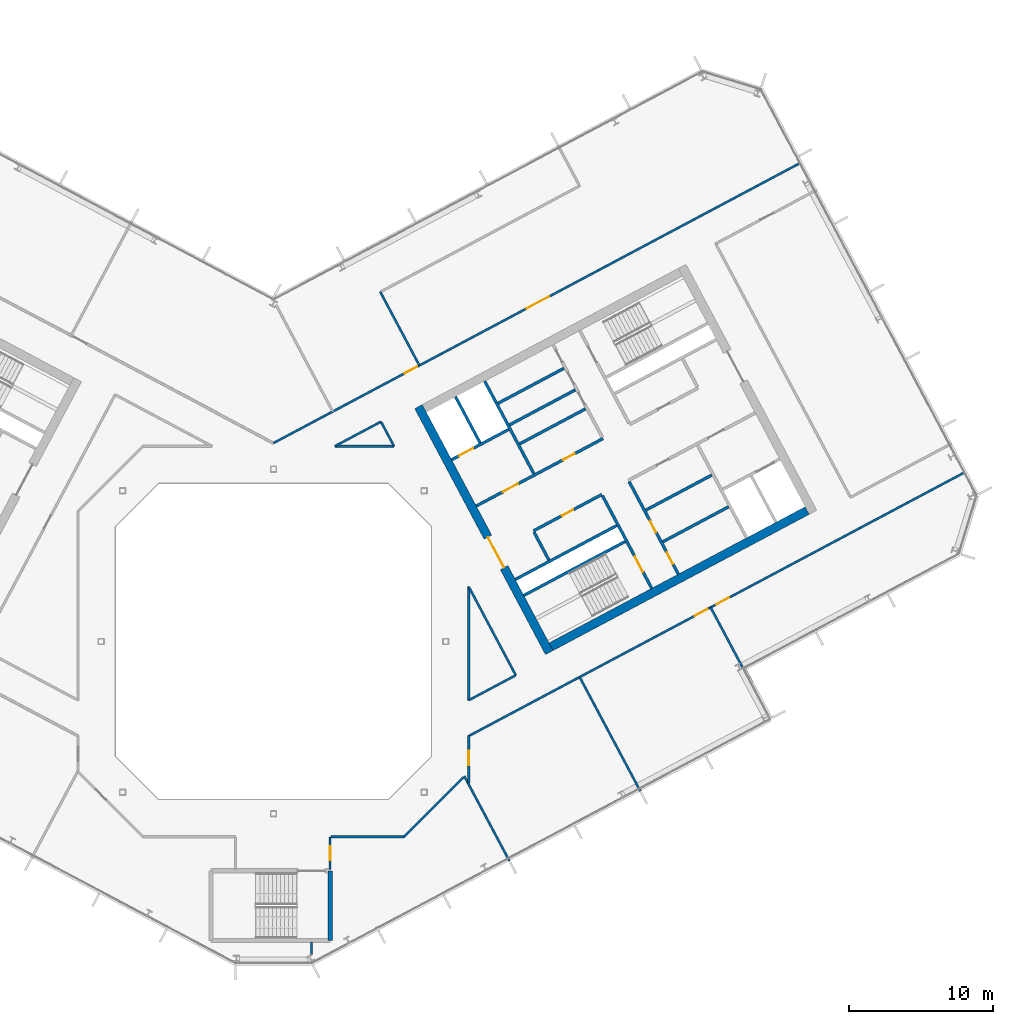
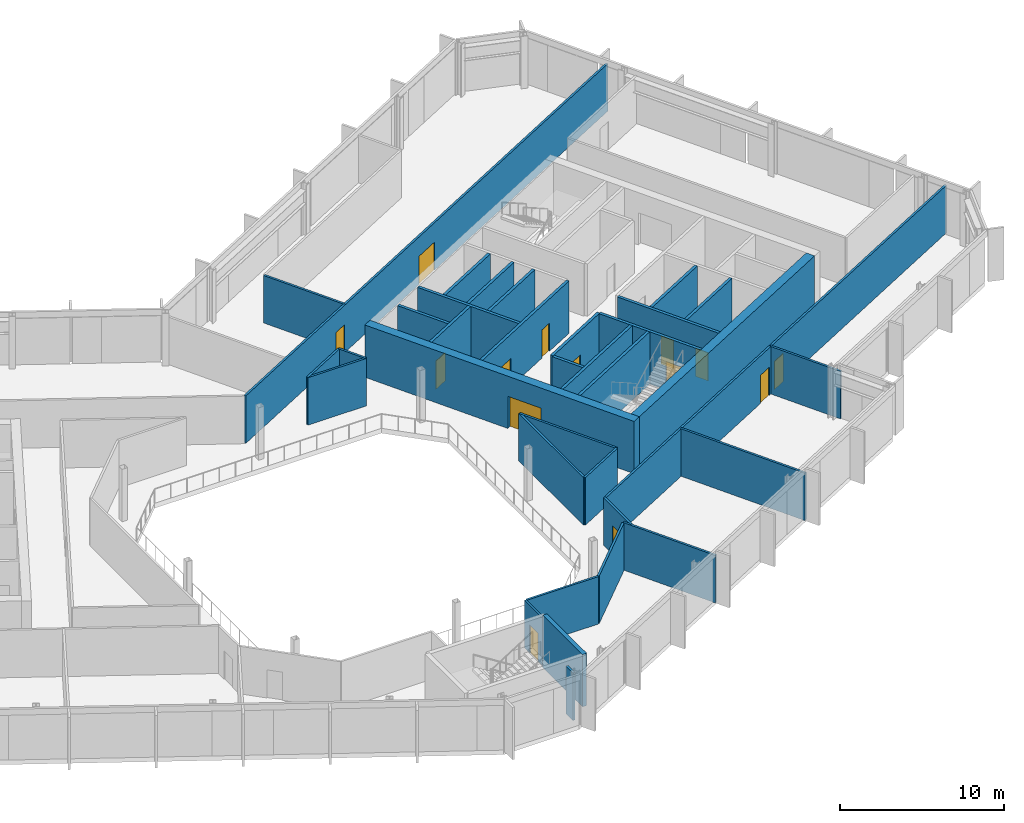
# One storey, part 16 of 27: 35 walls, 14 doors, 14 openings.
"""IFC4 building model written with IfcOpenShell, lengths in metres."""

from ifc_helpers import new_model, si_unit, direction, frame, frame_2d, origin, place, context, subcontext, project, spatial, rectangle, extrude, material, layer, layer_set, type_object, element, fill, save


model = new_model("IFC4")

# Units and contexts
model_context = context("Model", 3, precision=1e-05, world=origin(), true_north=direction((0.0, 1.0)))
body_context = subcontext(model_context, "Body", "Model", "MODEL_VIEW")
ifc_project = project(units=[si_unit("LENGTHUNIT", "METRE"), si_unit("AREAUNIT", "SQUARE_METRE"), si_unit("VOLUMEUNIT", "CUBIC_METRE"), si_unit("PLANEANGLEUNIT", "RADIAN"), si_unit("MASSUNIT", "GRAM", prefix="KILO")], contexts=[model_context])

# Site, building, storey
site_placement = place(None, origin())
site = spatial("IfcSite", under=ifc_project, at=site_placement, CompositionType="ELEMENT")
building_placement = place(site_placement, origin())
building = spatial("IfcBuilding", under=site, at=building_placement, Name="Cormorant Relay Tower", CompositionType="ELEMENT")
storey_placement = place(building_placement, frame((0.0, 0.0, 224.699951171875)))
storey = spatial("IfcBuildingStorey", under=building, at=storey_placement, Name="L49", CompositionType="ELEMENT", Elevation=224.699951171875)

# Walls
ifc_material_1 = material(Name="Concrete 40 MPa", Category="concrete")
ifc_layer_1 = layer(ifc_material_1, 0.199951171875)
ifc_layer_set_1 = layer_set([ifc_layer_1], Name="Core internal wall 200")
wall_type_1 = type_object("IfcWallType", Name="Core internal wall 200", PredefinedType="SOLIDWALL", material=ifc_layer_set_1)
for number, where, z_axis, x_axis, name in (
    (1, (27.11474609375, 6.942138671875, 0.0), (0.0, 0.0, 1.0), (0.882934506056, 0.469496174655, 0.0), "L49 core B shaft and room wall"),
    (2, (16.442626953125, 15.085205078125, 0.0), (0.0, 0.0, 1.0), (0.882953967957, 0.469459572775, 0.0), "L49 core B shaft and room wall"),
    (3, (15.64453125, 16.586181640625, 0.0), (0.0, 0.0, 1.0), (0.882953967957, 0.469459572775, 0.0), "L49 core B shaft and room wall"),
):
    element("IfcWall", number, at=place(storey_placement, frame(where, z_axis=z_axis, x_axis=x_axis)), inside=storey, type_object=wall_type_1, Name=name, PredefinedType="SOLIDWALL", context=body_context, shape_type="SweptSolid", body=[
        extrude(rectangle(XDim=5.199951171875, YDim=0.199951171875, at=frame_2d((2.60009765625, 0.0))), origin(), (0.0, 0.0, 1.0), 3.900146484375),
    ])
ifc_material_2 = material(Name="Concrete 50 MPa", Category="concrete")
ifc_layer_2 = layer(ifc_material_2, 0.199951171875)
ifc_layer_set_2 = layer_set([ifc_layer_2], Name="Core shaft wall 200")
wall_type_2 = type_object("IfcWallType", Name="Core shaft wall 200", PredefinedType="SHEAR", material=ifc_layer_set_2)
wall_1_placement = place(storey_placement, frame((14.39404296875, 13.825927734375, 0.0), z_axis=(0.0, 0.0, 1.0), x_axis=(-0.469494272526, 0.882935517501, 0.0)))
element("IfcWall", 4, at=wall_1_placement, inside=storey, type_object=wall_type_2, Name="L49 core B shaft wall", PredefinedType="SHEAR", context=body_context, shape_type="SweptSolid", body=[
    extrude(rectangle(XDim=3.64990234375, YDim=0.199951171875, at=frame_2d((1.824951171875, 0.0))), origin(), (0.0, 0.0, 1.0), 3.900146484375),
])
wall_2_placement = place(storey_placement, frame((19.18359375, 5.669921875, 0.0), z_axis=(0.0, 0.0, 1.0), x_axis=(-0.4694473164, 0.882960484464, 0.0)))
element("IfcWall", 5, at=wall_2_placement, inside=storey, type_object=wall_type_2, Name="L49 core B shaft wall", PredefinedType="SHEAR", context=body_context, shape_type="SweptSolid", body=[
    extrude(rectangle(XDim=2.199951171875, YDim=0.199951171875, at=frame_2d((1.10009765625, 0.0))), origin(), (0.0, 0.0, 1.0), 3.900146484375),
])
wall_3_placement = place(storey_placement, frame((18.138427734375, 11.682861328125, 0.0), z_axis=(0.0, 0.0, 1.0), x_axis=(-0.469480409012, 0.88294288918, 0.0)))
element("IfcWall", 6, at=wall_3_placement, inside=storey, type_object=wall_type_2, Name="L49 core B shaft wall", PredefinedType="SHEAR", context=body_context, shape_type="SweptSolid", body=[
    extrude(rectangle(XDim=7.300048828125, YDim=0.199951171875, at=frame_2d((3.64990234375, 0.0))), origin(), (0.0, 0.0, 1.0), 3.900146484375),
])

# Wall, opening, door
wall_4_placement = place(storey_placement, frame((26.345947265625, 3.701904296875, 0.0), z_axis=(0.0, 0.0, 1.0), x_axis=(-0.469480409012, 0.88294288918, 0.0)))
wall_4 = element("IfcWall", 7, at=wall_4_placement, inside=storey, type_object=wall_type_2, Name="L49 core B shaft wall", PredefinedType="SHEAR", context=body_context, shape_type="SweptSolid", body=[
    extrude(rectangle(XDim=7.300048828125, YDim=0.199951171875, at=frame_2d((3.64990234375, 0.0))), origin(), (0.0, 0.0, 1.0), 3.900146484375),
])
opening_1_placement = place(wall_4_placement, frame((1.300048828125, 0.0, 0.0)))
opening_1 = element("IfcOpeningElement", 8, at=opening_1_placement, cuts=wall_4, Name="Opening CDB-040", PredefinedType="OPENING", context=body_context, shape_type="SweptSolid", body=[
    extrude(rectangle(XDim=1.199951171875, YDim=2.10009765625, at=frame_2d((0.60009765625, 1.050048828125))), frame((0.0, 0.10986328125, 0.0), z_axis=(0.0, -1.0, 0.0), x_axis=(1.0, 0.0, 0.0)), (0.0, 0.0, 1.0), 0.219970703125),
])
ifc_material_3 = material(Name="Steel fire door", Category="steel")
door_type_1 = type_object("IfcDoorType", Name="Core stair door 1200x2100", OperationType="SINGLE_SWING_LEFT", PredefinedType="DOOR", material=ifc_material_3)
door_1_placement = place(opening_1_placement, origin())
door_1 = element("IfcDoor", 9, at=door_1_placement, inside=storey, type_object=door_type_1, Name="Core stair door 1200x2100", OperationType="SINGLE_SWING_RIGHT", OverallHeight=2.10009765625, OverallWidth=1.199951171875, PredefinedType="DOOR", context=body_context, shape_type="SweptSolid", body=[
    extrude(rectangle(XDim=1.199951171875, YDim=2.10009765625, at=frame_2d((0.60009765625, 1.050048828125))), frame((0.0, 0.02490234375, 0.0), z_axis=(0.0, -1.0, 0.0), x_axis=(1.0, 0.0, 0.0)), (0.0, 0.0, 1.0), 0.050048828125),
])
fill(opening_1, door_1)

# Wall, openings, doors
wall_5_placement = place(storey_placement, frame((28.199951171875, 4.687744140625, 0.0), z_axis=(0.0, 0.0, 1.0), x_axis=(-0.469454336211, 0.882956752176, 0.0)))
wall_5 = element("IfcWall", 10, at=wall_5_placement, inside=storey, type_object=wall_type_2, Name="L49 core B shaft wall", PredefinedType="SHEAR", context=body_context, shape_type="SweptSolid", body=[
    extrude(rectangle(XDim=7.300048828125, YDim=0.199951171875, at=frame_2d((3.64990234375, 0.0))), origin(), (0.0, 0.0, 1.0), 3.900146484375),
])
opening_2_placement = place(wall_5_placement, frame((0.800048828125, 0.0, 0.0)))
opening_2 = element("IfcOpeningElement", 11, at=opening_2_placement, cuts=wall_5, Name="Opening CDD-286", PredefinedType="OPENING", context=body_context, shape_type="SweptSolid", body=[
    extrude(rectangle(XDim=0.89990234375, YDim=2.10009765625, at=frame_2d((0.449951171875, 1.050048828125))), frame((0.0, 0.10986328125, 0.0), z_axis=(0.0, -1.0, 0.0), x_axis=(1.0, 0.0, 0.0)), (0.0, 0.0, 1.0), 0.219970703125),
])
opening_3_placement = place(wall_5_placement, frame((3.300048828125, 0.0, 0.0)))
opening_3 = element("IfcOpeningElement", 12, at=opening_3_placement, cuts=wall_5, Name="Opening CDD-287", PredefinedType="OPENING", context=body_context, shape_type="SweptSolid", body=[
    extrude(rectangle(XDim=0.89990234375, YDim=2.10009765625, at=frame_2d((0.449951171875, 1.050048828125))), frame((0.0, 0.10986328125, 0.0), z_axis=(0.0, -1.0, 0.0), x_axis=(1.0, 0.0, 0.0)), (0.0, 0.0, 1.0), 0.219970703125),
])
ifc_material_4 = material(Name="Steel fire door", Category="steel")
door_type_2 = type_object("IfcDoorType", Name="Core room door 900x2100", OperationType="SINGLE_SWING_LEFT", PredefinedType="DOOR", material=ifc_material_4)
door_2_placement = place(opening_2_placement, frame((0.89990234375, 0.0, 0.0), z_axis=(0.0, 0.0, 1.0), x_axis=(-1.0, 0.0, 0.0)))
door_2 = element("IfcDoor", 13, at=door_2_placement, inside=storey, type_object=door_type_2, Name="Core room door 900x2100", OperationType="SINGLE_SWING_LEFT", OverallHeight=2.10009765625, OverallWidth=0.89990234375, PredefinedType="DOOR", context=body_context, shape_type="SweptSolid", body=[
    extrude(rectangle(XDim=0.89990234375, YDim=2.10009765625, at=frame_2d((0.449951171875, 1.050048828125))), frame((0.0, 0.02490234375, 0.0), z_axis=(0.0, -1.0, 0.0), x_axis=(1.0, 0.0, 0.0)), (0.0, 0.0, 1.0), 0.050048828125),
])
fill(opening_2, door_2)
door_3_placement = place(opening_3_placement, frame((0.89990234375, 0.0, 0.0), z_axis=(0.0, 0.0, 1.0), x_axis=(-1.0, 0.0, 0.0)))
door_3 = element("IfcDoor", 14, at=door_3_placement, inside=storey, type_object=door_type_2, Name="Core room door 900x2100", OperationType="SINGLE_SWING_LEFT", OverallHeight=2.10009765625, OverallWidth=0.89990234375, PredefinedType="DOOR", context=body_context, shape_type="SweptSolid", body=[
    extrude(rectangle(XDim=0.89990234375, YDim=2.10009765625, at=frame_2d((0.449951171875, 1.050048828125))), frame((0.0, 0.02490234375, 0.0), z_axis=(0.0, -1.0, 0.0), x_axis=(1.0, 0.0, 0.0)), (0.0, 0.0, 1.0), 0.050048828125),
])
fill(opening_3, door_3)

# Walls
for number, where, z_axis, x_axis, name in (
    (15, (17.43359375, 3.210205078125, 0.0), (0.0, 0.0, 1.0), (0.882940221191, 0.469485426614, 0.0), "L49 core B shaft wall"),
    (16, (16.8466796875, 4.31396484375, 0.0), (0.0, 0.0, 1.0), (0.882940221191, 0.469485426614, 0.0), "L49 core B shaft wall"),
):
    element("IfcWall", number, at=place(storey_placement, frame(where, z_axis=z_axis, x_axis=x_axis)), inside=storey, type_object=wall_type_2, Name=name, PredefinedType="SHEAR", context=body_context, shape_type="SweptSolid", body=[
        extrude(rectangle(XDim=8.0, YDim=0.199951171875, at=frame_2d((4.0, 0.0))), origin(), (0.0, 0.0, 1.0), 3.900146484375),
    ])
wall_6_placement = place(storey_placement, frame((25.94091796875, 9.149658203125, 0.0), z_axis=(0.0, 0.0, 1.0), x_axis=(0.882953967957, 0.469459572775, 0.0)))
element("IfcWall", 17, at=wall_6_placement, inside=storey, type_object=wall_type_2, Name="L49 core B shaft wall", PredefinedType="SHEAR", context=body_context, shape_type="SweptSolid", body=[
    extrude(rectangle(XDim=5.199951171875, YDim=0.199951171875, at=frame_2d((2.60009765625, 0.0))), origin(), (0.0, 0.0, 1.0), 3.900146484375),
])

# Wall, opening, door
wall_7_placement = place(storey_placement, frame((18.103759765625, 7.70068359375, 0.0), z_axis=(0.0, 0.0, 1.0), x_axis=(0.882952937579, 0.469461510692, 0.0)))
wall_7 = element("IfcWall", 18, at=wall_7_placement, inside=storey, type_object=wall_type_2, Name="L49 core B shaft wall", PredefinedType="SHEAR", context=body_context, shape_type="SweptSolid", body=[
    extrude(rectangle(XDim=5.400146484375, YDim=0.199951171875, at=frame_2d((2.7001953125, 0.0))), origin(), (0.0, 0.0, 1.0), 3.900146484375),
])
opening_4_placement = place(wall_7_placement, frame((2.25, 0.0, 0.0)))
opening_4 = element("IfcOpeningElement", 19, at=opening_4_placement, cuts=wall_7, Name="Opening CDD-262", PredefinedType="OPENING", context=body_context, shape_type="SweptSolid", body=[
    extrude(rectangle(XDim=0.89990234375, YDim=2.10009765625, at=frame_2d((0.449951171875, 1.050048828125))), frame((0.0, 0.10986328125, 0.0), z_axis=(0.0, -1.0, 0.0), x_axis=(1.0, 0.0, 0.0)), (0.0, 0.0, 1.0), 0.219970703125),
])
door_4_placement = place(opening_4_placement, frame((0.89990234375, 0.0, 0.0), z_axis=(0.0, 0.0, 1.0), x_axis=(-1.0, 0.0, 0.0)))
door_4 = element("IfcDoor", 20, at=door_4_placement, inside=storey, type_object=door_type_2, Name="Core room door 900x2100", OperationType="SINGLE_SWING_RIGHT", OverallHeight=2.10009765625, OverallWidth=0.89990234375, PredefinedType="DOOR", context=body_context, shape_type="SweptSolid", body=[
    extrude(rectangle(XDim=0.89990234375, YDim=2.10009765625, at=frame_2d((0.449951171875, 1.050048828125))), frame((0.0, 0.02490234375, 0.0), z_axis=(0.0, -1.0, 0.0), x_axis=(1.0, 0.0, 0.0)), (0.0, 0.0, 1.0), 0.050048828125),
])
fill(opening_4, door_4)

# Wall, openings, doors
wall_8_placement = place(storey_placement, frame((14.123779296875, 9.43505859375, 0.0), z_axis=(0.0, 0.0, 1.0), x_axis=(0.882940221191, 0.469485426614, 0.0)))
wall_8 = element("IfcWall", 21, at=wall_8_placement, inside=storey, type_object=wall_type_2, Name="L49 core B shaft wall", PredefinedType="SHEAR", context=body_context, shape_type="SweptSolid", body=[
    extrude(rectangle(XDim=10.0, YDim=0.199951171875, at=frame_2d((5.0, 0.0))), origin(), (0.0, 0.0, 1.0), 3.900146484375),
])
opening_5_placement = place(wall_8_placement, frame((2.10009765625, 0.0, 0.0)))
opening_5 = element("IfcOpeningElement", 22, at=opening_5_placement, cuts=wall_8, Name="Opening CDC-037", PredefinedType="OPENING", context=body_context, shape_type="SweptSolid", body=[
    extrude(rectangle(XDim=1.199951171875, YDim=2.10009765625, at=frame_2d((0.60009765625, 1.050048828125))), frame((0.0, 0.10986328125, 0.0), z_axis=(0.0, -1.0, 0.0), x_axis=(1.0, 0.0, 0.0)), (0.0, 0.0, 1.0), 0.219970703125),
])
opening_6_placement = place(wall_8_placement, frame((6.85009765625, 0.0, 0.0)))
opening_6 = element("IfcOpeningElement", 23, at=opening_6_placement, cuts=wall_8, Name="Opening CDD-260", PredefinedType="OPENING", context=body_context, shape_type="SweptSolid", body=[
    extrude(rectangle(XDim=0.89990234375, YDim=2.10009765625, at=frame_2d((0.449951171875, 1.050048828125))), frame((0.0, 0.10986328125, 0.0), z_axis=(0.0, -1.0, 0.0), x_axis=(1.0, 0.0, 0.0)), (0.0, 0.0, 1.0), 0.219970703125),
])
ifc_material_5 = material(Name="Steel fire door", Category="steel")
door_type_3 = type_object("IfcDoorType", Name="Core lobby door 1200x2100", OperationType="SINGLE_SWING_LEFT", PredefinedType="DOOR", material=ifc_material_5)
door_5_placement = place(opening_5_placement, origin())
door_5 = element("IfcDoor", 24, at=door_5_placement, inside=storey, type_object=door_type_3, Name="Core lobby door 1200x2100", OperationType="SINGLE_SWING_RIGHT", OverallHeight=2.10009765625, OverallWidth=1.199951171875, PredefinedType="DOOR", context=body_context, shape_type="SweptSolid", body=[
    extrude(rectangle(XDim=1.199951171875, YDim=2.10009765625, at=frame_2d((0.60009765625, 1.050048828125))), frame((0.0, 0.02490234375, 0.0), z_axis=(0.0, -1.0, 0.0), x_axis=(1.0, 0.0, 0.0)), (0.0, 0.0, 1.0), 0.050048828125),
])
fill(opening_5, door_5)
door_6_placement = place(opening_6_placement, origin())
door_6 = element("IfcDoor", 25, at=door_6_placement, inside=storey, type_object=door_type_2, Name="Core room door 900x2100", OperationType="SINGLE_SWING_LEFT", OverallHeight=2.10009765625, OverallWidth=0.89990234375, PredefinedType="DOOR", context=body_context, shape_type="SweptSolid", body=[
    extrude(rectangle(XDim=0.89990234375, YDim=2.10009765625, at=frame_2d((0.449951171875, 1.050048828125))), frame((0.0, 0.02490234375, 0.0), z_axis=(0.0, -1.0, 0.0), x_axis=(1.0, 0.0, 0.0)), (0.0, 0.0, 1.0), 0.050048828125),
])
fill(opening_6, door_6)

# Wall
wall_9_placement = place(storey_placement, frame((17.146728515625, 13.7607421875, 0.0), z_axis=(0.0, 0.0, 1.0), x_axis=(0.882964314875, 0.469440111896, 0.0)))
element("IfcWall", 26, at=wall_9_placement, inside=storey, type_object=wall_type_2, Name="L49 core B shaft wall", PredefinedType="SHEAR", context=body_context, shape_type="SweptSolid", body=[
    extrude(rectangle(XDim=5.2001953125, YDim=0.199951171875, at=frame_2d((2.60009765625, 0.0))), origin(), (0.0, 0.0, 1.0), 3.900146484375),
])

# Wall, opening, door
wall_10_placement = place(storey_placement, frame((12.41015625, 12.657958984375, 0.0), z_axis=(0.0, 0.0, 1.0), x_axis=(0.8829484765, 0.469469900894, 0.0)))
wall_10 = element("IfcWall", 27, at=wall_10_placement, inside=storey, type_object=wall_type_2, Name="L49 core B shaft wall", PredefinedType="SHEAR", context=body_context, shape_type="SweptSolid", body=[
    extrude(rectangle(XDim=4.499755859375, YDim=0.199951171875, at=frame_2d((2.25, 0.0))), origin(), (0.0, 0.0, 1.0), 3.900146484375),
])
opening_7_placement = place(wall_10_placement, frame((0.60009765625, 0.0, 0.0)))
opening_7 = element("IfcOpeningElement", 28, at=opening_7_placement, cuts=wall_10, Name="Opening LD1-064", PredefinedType="OPENING", context=body_context, shape_type="SweptSolid", body=[
    extrude(rectangle(XDim=1.10009765625, YDim=2.10009765625, at=frame_2d((0.550048828125, 1.050048828125))), frame((0.0, 0.10986328125, 0.0), z_axis=(0.0, -1.0, 0.0), x_axis=(1.0, 0.0, 0.0)), (0.0, 0.0, 1.0), 0.219970703125),
])
ifc_material_6 = material(Name="Stainless steel 316", Category="steel")
door_type_4 = type_object("IfcDoorType", Name="Lift landing door 1100x2100", OperationType="DOUBLE_DOOR_SLIDING", PredefinedType="DOOR", material=ifc_material_6)
door_7_placement = place(opening_7_placement, origin())
door_7 = element("IfcDoor", 29, at=door_7_placement, inside=storey, type_object=door_type_4, Name="FF2 landing door", OperationType="DOUBLE_DOOR_SLIDING", OverallHeight=2.10009765625, OverallWidth=1.10009765625, PredefinedType="DOOR", context=body_context, shape_type="SweptSolid", body=[
    extrude(rectangle(XDim=1.10009765625, YDim=2.10009765625, at=frame_2d((0.550048828125, 1.050048828125))), frame((0.0, 0.02490234375, 0.0), z_axis=(0.0, -1.0, 0.0), x_axis=(1.0, 0.0, 0.0)), (0.0, 0.0, 1.0), 0.050048828125),
])
fill(opening_7, door_7)

ifc_material_7 = material(Name="Concrete 50 MPa", Category="concrete")
ifc_layer_3 = layer(ifc_material_7, 0.60009765625)
ifc_layer_set_3 = layer_set([ifc_layer_3], Name="Core wall 600")
wall_type_3 = type_object("IfcWallType", Name="Core wall 600", PredefinedType="SHEAR", material=ifc_layer_set_3)
wall_11_placement = place(storey_placement, frame((19.210693359375, -0.771484375, 0.0), z_axis=(0.0, 0.0, 1.0), x_axis=(-0.469463742137, 0.882951751127, 0.0)))
wall_11 = element("IfcWall", 30, at=wall_11_placement, inside=storey, type_object=wall_type_3, Name="L49 core B wall", PredefinedType="SHEAR", context=body_context, shape_type="SweptSolid", body=[
    extrude(rectangle(XDim=19.400146484375, YDim=0.60009765625, at=frame_2d((9.7001953125, 0.0))), origin(), (0.0, 0.0, 1.0), 3.900146484375),
])
opening_8_placement = place(wall_11_placement, frame((6.699951171875, 0.0, 0.0)))
opening_8 = element("IfcOpeningElement", 31, at=opening_8_placement, cuts=wall_11, Name="Opening CDA-044", PredefinedType="OPENING", context=body_context, shape_type="SweptSolid", body=[
    extrude(rectangle(XDim=2.39990234375, YDim=2.39990234375, at=frame_2d((1.199951171875, 1.199951171875))), frame((0.0, 0.31005859375, 0.0), z_axis=(0.0, -1.0, 0.0), x_axis=(1.0, 0.0, 0.0)), (0.0, 0.0, 1.0), 0.6201171875),
])
ifc_material_8 = material(Name="Steel fire door", Category="steel")
door_type_5 = type_object("IfcDoorType", Name="Core lobby door 2400x2400", OperationType="DOUBLE_DOOR_SINGLE_SWING", PredefinedType="DOOR", material=ifc_material_8)
door_8_placement = place(opening_8_placement, origin())
door_8 = element("IfcDoor", 32, at=door_8_placement, inside=storey, type_object=door_type_5, Name="Core lobby door 2400x2400", OperationType="DOUBLE_DOOR_SINGLE_SWING", OverallHeight=2.39990234375, OverallWidth=2.39990234375, PredefinedType="DOOR", context=body_context, shape_type="SweptSolid", body=[
    extrude(rectangle(XDim=2.39990234375, YDim=2.39990234375, at=frame_2d((1.199951171875, 1.199951171875))), frame((0.0, 0.02490234375, 0.0), z_axis=(0.0, -1.0, 0.0), x_axis=(1.0, 0.0, 0.0)), (0.0, 0.0, 1.0), 0.050048828125),
])
fill(opening_8, door_8)

# Wall
wall_12_placement = place(storey_placement, frame((19.3349609375, -0.36572265625, 0.0), z_axis=(0.0, 0.0, 1.0), x_axis=(0.88294509198, 0.469476266226, 0.0)))
element("IfcWall", 33, at=wall_12_placement, inside=storey, type_object=wall_type_3, Name="L49 core B wall", PredefinedType="SHEAR", context=body_context, shape_type="SweptSolid", body=[
    extrude(rectangle(XDim=20.199951171875, YDim=0.60009765625, at=frame_2d((10.10009765625, 0.0))), origin(), (0.0, 0.0, 1.0), 3.900146484375),
])

# Wall, openings, doors
ifc_material_9 = material(Name="Gypsum board fire partition")
ifc_layer_4 = layer(ifc_material_9, 0.14990234375)
ifc_layer_set_4 = layer_set([ifc_layer_4], Name="Corridor partition 150 EI 60")
wall_type_4 = type_object("IfcWallType", Name="Corridor partition 150 EI 60", PredefinedType="PARTITIONING", material=ifc_layer_set_4)
wall_13_placement = place(storey_placement, frame((0.0, 13.81689453125, 0.0), z_axis=(0.0, 0.0, 1.0), x_axis=(0.88295168045, 0.469463875065, 0.0)))
wall_13 = element("IfcWall", 34, at=wall_13_placement, inside=storey, type_object=wall_type_4, Name="wall/L49/part/012", PredefinedType="PARTITIONING", context=body_context, shape_type="SweptSolid", body=[
    extrude(rectangle(XDim=41.713623046875, YDim=0.14990234375, at=frame_2d((20.85693359375, 0.0))), origin(), (0.0, 0.0, 1.0), 3.5400390625),
])
opening_9_placement = place(wall_13_placement, frame((19.949951171875, 0.0, 0.0)))
opening_9 = element("IfcOpeningElement", 35, at=opening_9_placement, cuts=wall_13, Name="Opening DD-029", PredefinedType="OPENING", context=body_context, shape_type="SweptSolid", body=[
    extrude(rectangle(XDim=1.800048828125, YDim=2.10009765625, at=frame_2d((0.89990234375, 1.050048828125))), frame((0.0, 0.0849609375, 0.0), z_axis=(0.0, -1.0, 0.0), x_axis=(1.0, 0.0, 0.0)), (0.0, 0.0, 1.0), 0.169921875),
])
opening_10_placement = place(wall_13_placement, frame((10.35009765625, 0.0, 0.0)))
opening_10 = element("IfcOpeningElement", 36, at=opening_10_placement, cuts=wall_13, Name="Opening DS-160", PredefinedType="OPENING", context=body_context, shape_type="SweptSolid", body=[
    extrude(rectangle(XDim=1.0, YDim=2.10009765625, at=frame_2d((0.5, 1.050048828125))), frame((0.0, 0.0849609375, 0.0), z_axis=(0.0, -1.0, 0.0), x_axis=(1.0, 0.0, 0.0)), (0.0, 0.0, 1.0), 0.169921875),
])
ifc_material_10 = material(Name="Timber door leaf", Category="wood")
door_type_6 = type_object("IfcDoorType", Name="Suite door 1000x2100", OperationType="SINGLE_SWING_LEFT", PredefinedType="DOOR", material=ifc_material_10)
door_9_placement = place(opening_10_placement, origin())
door_9 = element("IfcDoor", 37, at=door_9_placement, inside=storey, type_object=door_type_6, Name="door/L49/014", OperationType="SINGLE_SWING_RIGHT", OverallHeight=2.10009765625, OverallWidth=1.0, PredefinedType="DOOR", context=body_context, shape_type="SweptSolid", body=[
    extrude(rectangle(XDim=1.0, YDim=2.10009765625, at=frame_2d((0.5, 1.050048828125))), frame((0.0, 0.02490234375, 0.0), z_axis=(0.0, -1.0, 0.0), x_axis=(1.0, 0.0, 0.0)), (0.0, 0.0, 1.0), 0.050048828125),
])
fill(opening_10, door_9)
ifc_material_11 = material(Name="Timber door leaf", Category="wood")
door_type_7 = type_object("IfcDoorType", Name="Suite double door 1800x2100", OperationType="DOUBLE_DOOR_SINGLE_SWING", PredefinedType="DOOR", material=ifc_material_11)
door_10_placement = place(opening_9_placement, origin())
door_10 = element("IfcDoor", 38, at=door_10_placement, inside=storey, type_object=door_type_7, Name="door/L49/013", OperationType="DOUBLE_DOOR_SINGLE_SWING", OverallHeight=2.10009765625, OverallWidth=1.800048828125, PredefinedType="DOOR", context=body_context, shape_type="SweptSolid", body=[
    extrude(rectangle(XDim=1.800048828125, YDim=2.10009765625, at=frame_2d((0.89990234375, 1.050048828125))), frame((0.0, 0.02490234375, 0.0), z_axis=(0.0, -1.0, 0.0), x_axis=(1.0, 0.0, 0.0)), (0.0, 0.0, 1.0), 0.050048828125),
])
fill(opening_9, door_10)

# Wall, opening, door
wall_14_placement = place(storey_placement, frame((3.949951171875, -13.60009765625, 0.0), z_axis=(0.0, 0.0, 1.0), x_axis=(0.0, -1.0, 0.0)))
wall_14 = element("IfcWall", 39, at=wall_14_placement, inside=storey, type_object=wall_type_4, Name="wall/L49/part/028", PredefinedType="PARTITIONING", context=body_context, shape_type="SweptSolid", body=[
    extrude(rectangle(XDim=2.27490234375, YDim=0.14990234375, at=frame_2d((1.137451171875, 0.0))), origin(), (0.0, 0.0, 1.0), 3.5400390625),
])
opening_11_placement = place(wall_14_placement, frame((0.64990234375, 0.0, 0.0)))
opening_11 = element("IfcOpeningElement", 40, at=opening_11_placement, cuts=wall_14, Name="Opening DS-138", PredefinedType="OPENING", context=body_context, shape_type="SweptSolid", body=[
    extrude(rectangle(XDim=1.0, YDim=2.10009765625, at=frame_2d((0.5, 1.050048828125))), frame((0.0, 0.0849609375, 0.0), z_axis=(0.0, -1.0, 0.0), x_axis=(1.0, 0.0, 0.0)), (0.0, 0.0, 1.0), 0.169921875),
])
door_11_placement = place(opening_11_placement, origin())
door_11 = element("IfcDoor", 41, at=door_11_placement, inside=storey, type_object=door_type_6, Name="door/L49/001", OperationType="SINGLE_SWING_LEFT", OverallHeight=2.10009765625, OverallWidth=1.0, PredefinedType="DOOR", context=body_context, shape_type="SweptSolid", body=[
    extrude(rectangle(XDim=1.0, YDim=2.10009765625, at=frame_2d((0.5, 1.050048828125))), frame((0.0, 0.02490234375, 0.0), z_axis=(0.0, -1.0, 0.0), x_axis=(1.0, 0.0, 0.0)), (0.0, 0.0, 1.0), 0.050048828125),
])
fill(opening_11, door_11)

# Walls
wall_15_placement = place(storey_placement, frame((13.23291015625, -9.444091796875, 0.0), z_axis=(0.0, 0.0, 1.0), x_axis=(-0.707106781187, -0.707106781187, 0.0)))
element("IfcWall", 42, at=wall_15_placement, inside=storey, type_object=wall_type_4, Name="wall/L49/part/029", PredefinedType="PARTITIONING", context=body_context, shape_type="SweptSolid", body=[
    extrude(rectangle(XDim=5.87744140625, YDim=0.14990234375, at=frame_2d((2.938720703125, 0.0))), origin(), (0.0, 0.0, 1.0), 3.5400390625),
])
wall_16_placement = place(storey_placement, frame((9.076904296875, -13.60009765625, 0.0), z_axis=(0.0, 0.0, 1.0), x_axis=(-1.0, 0.0, 0.0)))
element("IfcWall", 43, at=wall_16_placement, inside=storey, type_object=wall_type_4, Name="wall/L49/part/030", PredefinedType="PARTITIONING", context=body_context, shape_type="SweptSolid", body=[
    extrude(rectangle(XDim=5.052001953125, YDim=0.14990234375, at=frame_2d((2.52587890625, 0.0))), origin(), (0.0, 0.0, 1.0), 3.5400390625),
])

# Wall, opening, door
wall_17_placement = place(storey_placement, frame((13.60009765625, -6.535888671875, 0.0), z_axis=(0.0, 0.0, 1.0), x_axis=(0.0, -1.0, 0.0)))
wall_17 = element("IfcWall", 44, at=wall_17_placement, inside=storey, type_object=wall_type_4, Name="wall/L49/part/035", PredefinedType="PARTITIONING", context=body_context, shape_type="SweptSolid", body=[
    extrude(rectangle(XDim=3.31005859375, YDim=0.14990234375, at=frame_2d((1.655029296875, 0.0))), origin(), (0.0, 0.0, 1.0), 3.5400390625),
])
opening_12_placement = place(wall_17_placement, frame((1.089111328125, 0.0, 0.0)))
opening_12 = element("IfcOpeningElement", 45, at=opening_12_placement, cuts=wall_17, Name="Opening DS-152", PredefinedType="OPENING", context=body_context, shape_type="SweptSolid", body=[
    extrude(rectangle(XDim=1.0, YDim=2.10009765625, at=frame_2d((0.5, 1.050048828125))), frame((0.0, 0.0849609375, 0.0), z_axis=(0.0, -1.0, 0.0), x_axis=(1.0, 0.0, 0.0)), (0.0, 0.0, 1.0), 0.169921875),
])
door_12_placement = place(opening_12_placement, origin())
door_12 = element("IfcDoor", 46, at=door_12_placement, inside=storey, type_object=door_type_6, Name="door/L49/002", OperationType="SINGLE_SWING_LEFT", OverallHeight=2.10009765625, OverallWidth=1.0, PredefinedType="DOOR", context=body_context, shape_type="SweptSolid", body=[
    extrude(rectangle(XDim=1.0, YDim=2.10009765625, at=frame_2d((0.5, 1.050048828125))), frame((0.0, 0.02490234375, 0.0), z_axis=(0.0, -1.0, 0.0), x_axis=(1.0, 0.0, 0.0)), (0.0, 0.0, 1.0), 0.050048828125),
])
fill(opening_12, door_12)

# Wall, openings, doors
wall_18_placement = place(storey_placement, frame((48.285888671875, 11.85595703125, 0.0), z_axis=(0.0, 0.0, 1.0), x_axis=(-0.882956748566, -0.469454343001, 0.0)))
wall_18 = element("IfcWall", 47, at=wall_18_placement, inside=storey, type_object=wall_type_4, Name="wall/L49/part/037", PredefinedType="PARTITIONING", context=body_context, shape_type="SweptSolid", body=[
    extrude(rectangle(XDim=39.28369140625, YDim=0.14990234375, at=frame_2d((19.641845703125, 0.0))), origin(), (0.0, 0.0, 1.0), 3.5400390625),
])
opening_13_placement = place(wall_18_placement, frame((20.449951171875, 0.0, 0.0)))
opening_13 = element("IfcOpeningElement", 48, at=opening_13_placement, cuts=wall_18, Name="Opening DS-153", PredefinedType="OPENING", context=body_context, shape_type="SweptSolid", body=[
    extrude(rectangle(XDim=1.0, YDim=2.10009765625, at=frame_2d((0.5, 1.050048828125))), frame((0.0, 0.0849609375, 0.0), z_axis=(0.0, -1.0, 0.0), x_axis=(1.0, 0.0, 0.0)), (0.0, 0.0, 1.0), 0.169921875),
])
opening_14_placement = place(wall_18_placement, frame((18.75, 0.0, 0.0)))
opening_14 = element("IfcOpeningElement", 49, at=opening_14_placement, cuts=wall_18, Name="Opening DS-154", PredefinedType="OPENING", context=body_context, shape_type="SweptSolid", body=[
    extrude(rectangle(XDim=1.0, YDim=2.10009765625, at=frame_2d((0.5, 1.050048828125))), frame((0.0, 0.0849609375, 0.0), z_axis=(0.0, -1.0, 0.0), x_axis=(1.0, 0.0, 0.0)), (0.0, 0.0, 1.0), 0.169921875),
])
door_13_placement = place(opening_13_placement, origin())
door_13 = element("IfcDoor", 50, at=door_13_placement, inside=storey, type_object=door_type_6, Name="door/L49/003", OperationType="SINGLE_SWING_LEFT", OverallHeight=2.10009765625, OverallWidth=1.0, PredefinedType="DOOR", context=body_context, shape_type="SweptSolid", body=[
    extrude(rectangle(XDim=1.0, YDim=2.10009765625, at=frame_2d((0.5, 1.050048828125))), frame((0.0, 0.02490234375, 0.0), z_axis=(0.0, -1.0, 0.0), x_axis=(1.0, 0.0, 0.0)), (0.0, 0.0, 1.0), 0.050048828125),
])
fill(opening_13, door_13)
door_14_placement = place(opening_14_placement, origin())
door_14 = element("IfcDoor", 51, at=door_14_placement, inside=storey, type_object=door_type_6, Name="door/L49/004", OperationType="SINGLE_SWING_RIGHT", OverallHeight=2.10009765625, OverallWidth=1.0, PredefinedType="DOOR", context=body_context, shape_type="SweptSolid", body=[
    extrude(rectangle(XDim=1.0, YDim=2.10009765625, at=frame_2d((0.5, 1.050048828125))), frame((0.0, 0.02490234375, 0.0), z_axis=(0.0, -1.0, 0.0), x_axis=(1.0, 0.0, 0.0)), (0.0, 0.0, 1.0), 0.050048828125),
])
fill(opening_14, door_14)

# Walls
wall_19_placement = place(storey_placement, frame((4.277099609375, 13.60009765625, 0.0), z_axis=(0.0, 0.0, 1.0), x_axis=(1.0, 0.0, 0.0)))
element("IfcWall", 52, at=wall_19_placement, inside=storey, type_object=wall_type_4, Name="wall/L49/part/048", PredefinedType="PARTITIONING", context=body_context, shape_type="SweptSolid", body=[
    extrude(rectangle(XDim=4.120849609375, YDim=0.14990234375, at=frame_2d((2.060546875, 0.0))), origin(), (0.0, 0.0, 1.0), 3.5400390625),
])
wall_20_placement = place(storey_placement, frame((8.39794921875, 13.60009765625, 0.0), z_axis=(0.0, 0.0, 1.0), x_axis=(-0.469388988559, 0.882991493401, 0.0)))
element("IfcWall", 53, at=wall_20_placement, inside=storey, type_object=wall_type_4, Name="wall/L49/part/049", PredefinedType="PARTITIONING", context=body_context, shape_type="SweptSolid", body=[
    extrude(rectangle(XDim=1.934326171875, YDim=0.14990234375, at=frame_2d((0.96728515625, 0.0))), origin(), (0.0, 0.0, 1.0), 3.5400390625),
])
wall_21_placement = place(storey_placement, frame((7.489990234375, 15.30810546875, 0.0), z_axis=(0.0, 0.0, 1.0), x_axis=(-0.882983638691, -0.469403764155, 0.0)))
element("IfcWall", 54, at=wall_21_placement, inside=storey, type_object=wall_type_4, Name="wall/L49/part/050", PredefinedType="PARTITIONING", context=body_context, shape_type="SweptSolid", body=[
    extrude(rectangle(XDim=3.638671875, YDim=0.14990234375, at=frame_2d((1.8193359375, 0.0))), origin(), (0.0, 0.0, 1.0), 3.5400390625),
])
wall_22_placement = place(storey_placement, frame((16.87890625, -2.35107421875, 0.0), z_axis=(0.0, 0.0, 1.0), x_axis=(-0.469386900786, 0.882992603236, 0.0)))
element("IfcWall", 55, at=wall_22_placement, inside=storey, type_object=wall_type_4, Name="wall/L49/part/051", PredefinedType="PARTITIONING", context=body_context, shape_type="SweptSolid", body=[
    extrude(rectangle(XDim=6.9853515625, YDim=0.14990234375, at=frame_2d((3.49267578125, 0.0))), origin(), (0.0, 0.0, 1.0), 3.5400390625),
])
wall_23_placement = place(storey_placement, frame((13.60009765625, 3.81689453125, 0.0), z_axis=(0.0, 0.0, 1.0), x_axis=(0.0, -1.0, 0.0)))
element("IfcWall", 56, at=wall_23_placement, inside=storey, type_object=wall_type_4, Name="wall/L49/part/052", PredefinedType="PARTITIONING", context=body_context, shape_type="SweptSolid", body=[
    extrude(rectangle(XDim=7.910888671875, YDim=0.14990234375, at=frame_2d((3.95556640625, 0.0))), origin(), (0.0, 0.0, 1.0), 3.5400390625),
])
wall_24_placement = place(storey_placement, frame((13.60009765625, -4.093994140625, 0.0), z_axis=(0.0, 0.0, 1.0), x_axis=(0.882998216328, 0.469376341502, 0.0)))
element("IfcWall", 57, at=wall_24_placement, inside=storey, type_object=wall_type_4, Name="wall/L49/part/053", PredefinedType="PARTITIONING", context=body_context, shape_type="SweptSolid", body=[
    extrude(rectangle(XDim=3.71337890625, YDim=0.14990234375, at=frame_2d((1.856689453125, 0.0))), origin(), (0.0, 0.0, 1.0), 3.5400390625),
])
ifc_material_12 = material(Name="Concrete 50 MPa", Category="concrete")
ifc_layer_5 = layer(ifc_material_12, 0.300048828125)
ifc_layer_set_5 = layer_set([ifc_layer_5], Name="Remote stair wall 300")
wall_type_5 = type_object("IfcWallType", Name="Remote stair wall 300", PredefinedType="SHEAR", material=ifc_layer_set_5)
wall_25_placement = place(storey_placement, frame((3.949951171875, -15.97509765625, 0.0), z_axis=(0.0, 0.0, 1.0), x_axis=(0.0, -1.0, 0.0)))
element("IfcWall", 58, at=wall_25_placement, inside=storey, type_object=wall_type_5, Name="L49 exit stair RK1 wall", PredefinedType="SHEAR", context=body_context, shape_type="SweptSolid", body=[
    extrude(rectangle(XDim=4.849853515625, YDim=0.300048828125, at=frame_2d((2.4248046875, 0.0))), origin(), (0.0, 0.0, 1.0), 3.900146484375),
])
ifc_material_13 = material(Name="Gypsum board partition")
ifc_layer_6 = layer(ifc_material_13, 0.14990234375)
ifc_layer_set_6 = layer_set([ifc_layer_6], Name="Tenant partition 150")
wall_type_6 = type_object("IfcWallType", Name="Tenant partition 150", PredefinedType="PARTITIONING", material=ifc_layer_set_6)
wall_26_placement = place(storey_placement, frame((2.64892578125, -21.799072265625, 0.0), z_axis=(0.0, 0.0, 1.0), x_axis=(0.0, 1.0, 0.0)))
element("IfcWall", 59, at=wall_26_placement, inside=storey, type_object=wall_type_6, Name="wall/L49/part/027", PredefinedType="PARTITIONING", context=body_context, shape_type="SweptSolid", body=[
    extrude(rectangle(XDim=0.8740234375, YDim=0.14990234375, at=frame_2d((0.43701171875, 0.0))), origin(), (0.0, 0.0, 1.0), 3.5400390625),
])
wall_27_placement = place(storey_placement, frame((7.443115234375, 24.343994140625, 0.0), z_axis=(0.0, 0.0, 1.0), x_axis=(0.46940426451, -0.882983372697, 0.0)))
element("IfcWall", 60, at=wall_27_placement, inside=storey, type_object=wall_type_6, Name="wall/L49/part/032", PredefinedType="PARTITIONING", context=body_context, shape_type="SweptSolid", body=[
    extrude(rectangle(XDim=5.781494140625, YDim=0.14990234375, at=frame_2d((2.890625, 0.0))), origin(), (0.0, 0.0, 1.0), 3.5400390625),
])
wall_28_placement = place(storey_placement, frame((13.294921875, -9.382080078125, 0.0), z_axis=(0.0, 0.0, 1.0), x_axis=(0.469560801687, -0.882900137908, 0.0)))
element("IfcWall", 61, at=wall_28_placement, inside=storey, type_object=wall_type_6, Name="wall/L49/part/034", PredefinedType="PARTITIONING", context=body_context, shape_type="SweptSolid", body=[
    extrude(rectangle(XDim=6.67431640625, YDim=0.14990234375, at=frame_2d((3.337158203125, 0.0))), origin(), (0.0, 0.0, 1.0), 3.5400390625),
])
wall_29_placement = place(storey_placement, frame((21.326904296875, -2.47802734375, 0.0), z_axis=(0.0, 0.0, 1.0), x_axis=(0.469481145989, -0.882942497313, 0.0)))
element("IfcWall", 62, at=wall_29_placement, inside=storey, type_object=wall_type_6, Name="wall/L49/part/036", PredefinedType="PARTITIONING", context=body_context, shape_type="SweptSolid", body=[
    extrude(rectangle(XDim=8.99951171875, YDim=0.14990234375, at=frame_2d((4.499755859375, 0.0))), origin(), (0.0, 0.0, 1.0), 3.5400390625),
])
wall_30_placement = place(storey_placement, frame((30.449951171875, 2.373046875, 0.0), z_axis=(0.0, 0.0, 1.0), x_axis=(0.469577911111, -0.882891038235, 0.0)))
element("IfcWall", 63, at=wall_30_placement, inside=storey, type_object=wall_type_6, Name="wall/L49/part/038", PredefinedType="PARTITIONING", context=body_context, shape_type="SweptSolid", body=[
    extrude(rectangle(XDim=5.0810546875, YDim=0.14990234375, at=frame_2d((2.54052734375, 0.0))), origin(), (0.0, 0.0, 1.0), 3.5400390625),
])

save(model, "model.ifc")
